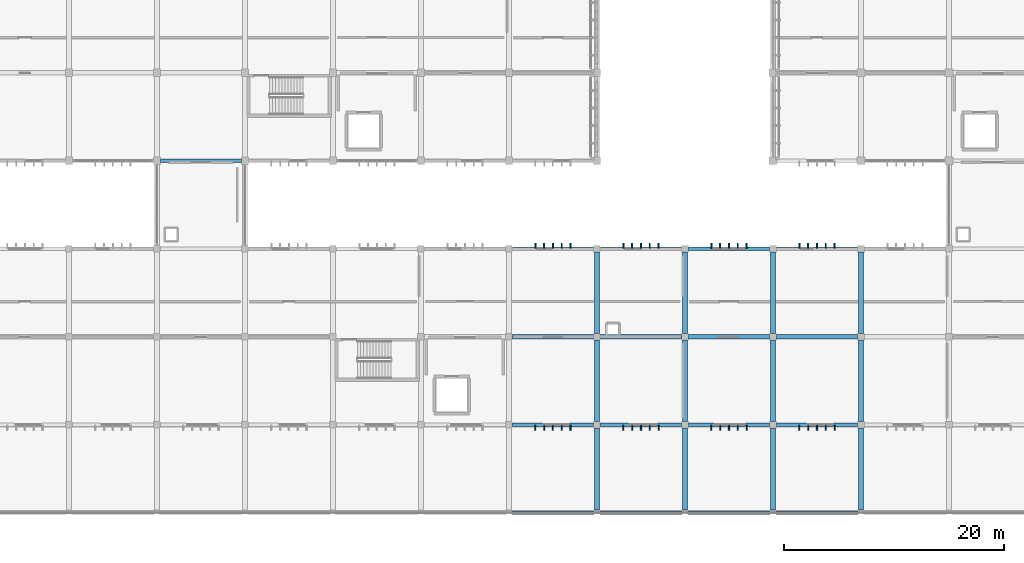
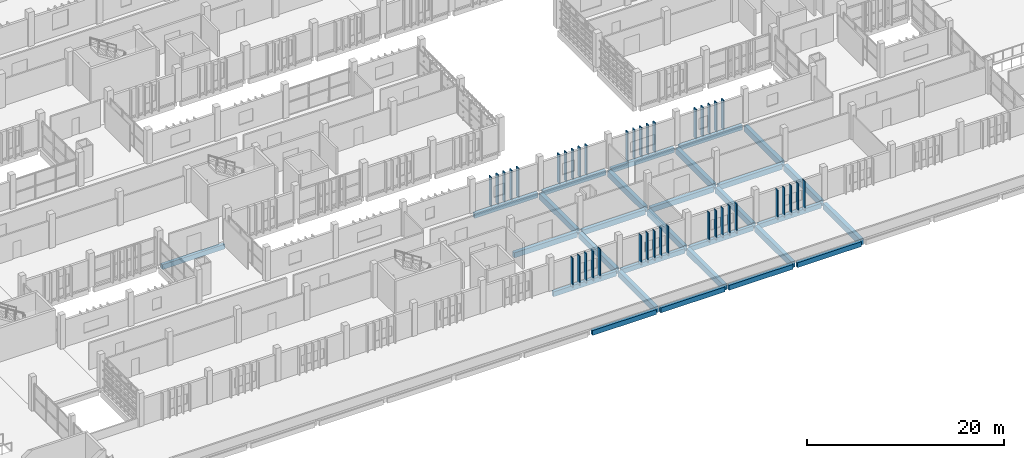
# One storey, part 24 of 137: 40 members, 29 beams.
"""IFC4 building model written with IfcOpenShell, lengths in metres."""

from ifc_helpers import new_model, si_unit, direction, frame, origin, origin_2d, place, context, subcontext, project, spatial, rectangle, extrude, material, material_profile, profile_set, type_object, element, save


model = new_model("IFC4")

# Units and contexts
model_context = context("Model", 3, precision=1e-05, world=origin(), true_north=direction((0.0, 1.0)))
body_context = subcontext(model_context, "Body", "Model", "MODEL_VIEW")
ifc_project = project(units=[si_unit("LENGTHUNIT", "METRE"), si_unit("AREAUNIT", "SQUARE_METRE"), si_unit("VOLUMEUNIT", "CUBIC_METRE"), si_unit("PLANEANGLEUNIT", "RADIAN"), si_unit("MASSUNIT", "GRAM", prefix="KILO")], contexts=[model_context])

# Site, building, storey
site_placement = place(None, origin())
site = spatial("IfcSite", under=ifc_project, at=site_placement, CompositionType="ELEMENT")
building_placement = place(site_placement, origin())
building = spatial("IfcBuilding", under=site, at=building_placement, Name="Jelvoka-Kovrelna Polytechnic", CompositionType="ELEMENT")
storey_placement = place(building_placement, frame((0.0, 0.0, 9.60009765625)))
storey = spatial("IfcBuildingStorey", under=building, at=storey_placement, Name="L03", CompositionType="ELEMENT", Elevation=9.60009765625)

# Beams
ifc_material_1 = material(Name="Concrete C40/50", Category="concrete")
ifc_material_profile_1 = material_profile(ifc_material_1, rectangle(XDim=0.39990234375, YDim=0.64990234375, at=origin_2d()), Name="RC 400x650")
ifc_profile_set_1 = profile_set([ifc_material_profile_1], Name="Concrete C40/50")
beam_type_1 = type_object("IfcBeamType", Name="Beam_RC_400x650", PredefinedType="BEAM", material=ifc_profile_set_1)
for number, where, z_axis, x_axis, name in (
    (1, (104.304931640625, 16.0, -0.590087890625), (1.0, 0.0, 0.0), (0.0, 1.0, 0.0), "L03 beam 0875"),
    (2, (112.304931640625, 16.0, -0.590087890625), (1.0, 0.0, 0.0), (0.0, 1.0, 0.0), "L03 beam 0905"),
    (3, (120.304931640625, 16.0, -0.590087890625), (1.0, 0.0, 0.0), (0.0, 1.0, 0.0), "L03 beam 0906"),
    (4, (128.304931640625, 16.0, -0.590087890625), (1.0, 0.0, 0.0), (0.0, 1.0, 0.0), "L03 beam 0907"),
):
    element("IfcBeam", number, at=place(storey_placement, frame(where, z_axis=z_axis, x_axis=x_axis)), inside=storey, type_object=beam_type_1, Name=name, PredefinedType="BEAM", context=body_context, shape_type="SweptSolid", body=[
        extrude(rectangle(XDim=0.39990234375, YDim=0.64990234375, at=origin_2d()), origin(), (0.0, 0.0, 1.0), 7.39013671875),
    ])
ifc_material_2 = material(Name="Concrete C40/50", Category="concrete")
ifc_material_profile_2 = material_profile(ifc_material_2, rectangle(XDim=0.449951171875, YDim=0.75, at=origin_2d()), Name="RC 450x750")
ifc_profile_set_2 = profile_set([ifc_material_profile_2], Name="Concrete C40/50")
beam_type_2 = type_object("IfcBeamType", Name="Beam_RC_450x750", PredefinedType="BEAM", material=ifc_profile_set_2)
for number, where, z_axis, x_axis, name in (
    (5, (112.0, 8.304931640625, -0.64013671875), (0.0, 1.0, 0.0), (-1.0, 0.0, 0.0), "L03 beam 0897"),
    (6, (112.0, 16.304931640625, -0.64013671875), (0.0, 1.0, 0.0), (-1.0, 0.0, 0.0), "L03 beam 0898"),
    (7, (120.0, 8.304931640625, -0.64013671875), (0.0, 1.0, 0.0), (-1.0, 0.0, 0.0), "L03 beam 0917"),
    (8, (120.0, 16.304931640625, -0.64013671875), (0.0, 1.0, 0.0), (-1.0, 0.0, 0.0), "L03 beam 0918"),
    (9, (128.0, 8.304931640625, -0.64013671875), (0.0, 1.0, 0.0), (-1.0, 0.0, 0.0), "L03 beam 0919"),
    (10, (128.0, 16.304931640625, -0.64013671875), (0.0, 1.0, 0.0), (-1.0, 0.0, 0.0), "L03 beam 0920"),
    (11, (136.0, 8.304931640625, -0.64013671875), (0.0, 1.0, 0.0), (-1.0, 0.0, 0.0), "L03 beam 0921"),
    (12, (136.0, 16.304931640625, -0.64013671875), (0.0, 1.0, 0.0), (-1.0, 0.0, 0.0), "L03 beam 0922"),
):
    element("IfcBeam", number, at=place(storey_placement, frame(where, z_axis=z_axis, x_axis=x_axis)), inside=storey, type_object=beam_type_2, Name=name, PredefinedType="BEAM", context=body_context, shape_type="SweptSolid", body=[
        extrude(rectangle(XDim=0.449951171875, YDim=0.75, at=origin_2d()), origin(), (0.0, 0.0, 1.0), 7.39013671875),
    ])
for number, where, z_axis, x_axis, name in (
    (13, (112.0, 0.2548828125, -0.565185546875), (0.0, 1.0, 0.0), (-1.0, 0.0, 0.0), "L03 beam 2055"),
    (14, (120.0, 0.2548828125, -0.565185546875), (0.0, 1.0, 0.0), (-1.0, 0.0, 0.0), "L03 beam 2056"),
    (15, (128.0, 0.2548828125, -0.565185546875), (0.0, 1.0, 0.0), (-1.0, 0.0, 0.0), "L03 beam 2057"),
    (16, (136.0, 0.2548828125, -0.565185546875), (0.0, 1.0, 0.0), (-1.0, 0.0, 0.0), "L03 beam 2058"),
):
    element("IfcBeam", number, at=place(storey_placement, frame(where, z_axis=z_axis, x_axis=x_axis)), inside=storey, type_object=beam_type_2, Name=name, PredefinedType="BEAM", context=body_context, shape_type="SweptSolid", body=[
        extrude(rectangle(XDim=0.449951171875, YDim=0.75, at=origin_2d()), origin(), (0.0, 0.0, 1.0), 7.440185546875),
    ])

# Members
ifc_material_3 = material(Name="Precast concrete C40/50", Category="concrete")
ifc_material_profile_3 = material_profile(ifc_material_3, rectangle(XDim=0.10009765625, YDim=0.449951171875, at=origin_2d()), Name="PC 100x450")
ifc_profile_set_3 = profile_set([ifc_material_profile_3], Name="Precast concrete C40/50")
member_type_1 = type_object("IfcMemberType", Name="Louvre_Fin_100x450", PredefinedType="USERDEFINED", material=ifc_profile_set_3)
for number, where, z_axis, x_axis, name in (
    (17, (106.39990234375, 7.735107421875, -0.27001953125), (0.0, 0.0, 1.0), (1.0, 0.0, 0.0), "L03 B1 south vertical solar louvre fin 0271"),
    (18, (107.199951171875, 7.735107421875, -0.27001953125), (0.0, 0.0, 1.0), (1.0, 0.0, 0.0), "L03 B1 south vertical solar louvre fin 0272"),
    (19, (108.0, 7.735107421875, -0.27001953125), (0.0, 0.0, 1.0), (1.0, 0.0, 0.0), "L03 B1 south vertical solar louvre fin 0273"),
    (20, (108.800048828125, 7.735107421875, -0.27001953125), (0.0, 0.0, 1.0), (1.0, 0.0, 0.0), "L03 B1 south vertical solar louvre fin 0274"),
    (21, (109.60009765625, 7.735107421875, -0.27001953125), (0.0, 0.0, 1.0), (1.0, 0.0, 0.0), "L03 B1 south vertical solar louvre fin 0275"),
    (22, (114.39990234375, 7.735107421875, -0.27001953125), (0.0, 0.0, 1.0), (1.0, 0.0, 0.0), "L03 B1 south vertical solar louvre fin 0281"),
    (23, (115.199951171875, 7.735107421875, -0.27001953125), (0.0, 0.0, 1.0), (1.0, 0.0, 0.0), "L03 B1 south vertical solar louvre fin 0282"),
    (24, (116.0, 7.735107421875, -0.27001953125), (0.0, 0.0, 1.0), (1.0, 0.0, 0.0), "L03 B1 south vertical solar louvre fin 0283"),
    (25, (116.800048828125, 7.735107421875, -0.27001953125), (0.0, 0.0, 1.0), (1.0, 0.0, 0.0), "L03 B1 south vertical solar louvre fin 0284"),
    (26, (117.60009765625, 7.735107421875, -0.27001953125), (0.0, 0.0, 1.0), (1.0, 0.0, 0.0), "L03 B1 south vertical solar louvre fin 0285"),
    (27, (122.39990234375, 7.735107421875, -0.27001953125), (0.0, 0.0, 1.0), (1.0, 0.0, 0.0), "L03 B1 south vertical solar louvre fin 0291"),
    (28, (123.199951171875, 7.735107421875, -0.27001953125), (0.0, 0.0, 1.0), (1.0, 0.0, 0.0), "L03 B1 south vertical solar louvre fin 0292"),
    (29, (124.0, 7.735107421875, -0.27001953125), (0.0, 0.0, 1.0), (1.0, 0.0, 0.0), "L03 B1 south vertical solar louvre fin 0293"),
    (30, (124.800048828125, 7.735107421875, -0.27001953125), (0.0, 0.0, 1.0), (1.0, 0.0, 0.0), "L03 B1 south vertical solar louvre fin 0294"),
    (31, (125.60009765625, 7.735107421875, -0.27001953125), (0.0, 0.0, 1.0), (1.0, 0.0, 0.0), "L03 B1 south vertical solar louvre fin 0295"),
    (32, (130.39990234375, 7.735107421875, -0.27001953125), (0.0, 0.0, 1.0), (1.0, 0.0, 0.0), "L03 B1 south vertical solar louvre fin 0301"),
    (33, (131.199951171875, 7.735107421875, -0.27001953125), (0.0, 0.0, 1.0), (1.0, 0.0, 0.0), "L03 B1 south vertical solar louvre fin 0302"),
    (34, (132.0, 7.735107421875, -0.27001953125), (0.0, 0.0, 1.0), (1.0, 0.0, 0.0), "L03 B1 south vertical solar louvre fin 0303"),
    (35, (132.800048828125, 7.735107421875, -0.27001953125), (0.0, 0.0, 1.0), (1.0, 0.0, 0.0), "L03 B1 south vertical solar louvre fin 0304"),
    (36, (133.60009765625, 7.735107421875, -0.27001953125), (0.0, 0.0, 1.0), (1.0, 0.0, 0.0), "L03 B1 south vertical solar louvre fin 0305"),
):
    element("IfcMember", number, at=place(storey_placement, frame(where, z_axis=z_axis, x_axis=x_axis)), inside=storey, type_object=member_type_1, Name=name, ObjectType="SUNSHADE", PredefinedType="USERDEFINED", context=body_context, shape_type="SweptSolid", body=[
        extrude(rectangle(XDim=0.10009765625, YDim=0.449951171875, at=origin_2d()), origin(), (0.0, 0.0, 1.0), 3.64501953125),
    ])
ifc_material_4 = material(Name="Precast concrete C40/50", Category="concrete")
ifc_material_profile_4 = material_profile(ifc_material_4, rectangle(XDim=0.1201171875, YDim=0.449951171875, at=origin_2d()), Name="PC 120x450")
ifc_profile_set_4 = profile_set([ifc_material_profile_4], Name="Precast concrete C40/50")
member_type_2 = type_object("IfcMemberType", Name="Louvre_Fin_120x450", PredefinedType="USERDEFINED", material=ifc_profile_set_4)
for number, where, z_axis, x_axis, name in (
    (37, (106.39990234375, 24.264892578125, -0.27001953125), (0.0, 0.0, 1.0), (1.0, 0.0, 0.0), "L03 B1 north vertical solar louvre fin 0276"),
    (38, (107.199951171875, 24.264892578125, -0.27001953125), (0.0, 0.0, 1.0), (1.0, 0.0, 0.0), "L03 B1 north vertical solar louvre fin 0277"),
    (39, (108.0, 24.264892578125, -0.27001953125), (0.0, 0.0, 1.0), (1.0, 0.0, 0.0), "L03 B1 north vertical solar louvre fin 0278"),
    (40, (108.800048828125, 24.264892578125, -0.27001953125), (0.0, 0.0, 1.0), (1.0, 0.0, 0.0), "L03 B1 north vertical solar louvre fin 0279"),
    (41, (109.60009765625, 24.264892578125, -0.27001953125), (0.0, 0.0, 1.0), (1.0, 0.0, 0.0), "L03 B1 north vertical solar louvre fin 0280"),
    (42, (114.39990234375, 24.264892578125, -0.27001953125), (0.0, 0.0, 1.0), (1.0, 0.0, 0.0), "L03 B1 north vertical solar louvre fin 0286"),
    (43, (115.199951171875, 24.264892578125, -0.27001953125), (0.0, 0.0, 1.0), (1.0, 0.0, 0.0), "L03 B1 north vertical solar louvre fin 0287"),
    (44, (116.0, 24.264892578125, -0.27001953125), (0.0, 0.0, 1.0), (1.0, 0.0, 0.0), "L03 B1 north vertical solar louvre fin 0288"),
    (45, (116.800048828125, 24.264892578125, -0.27001953125), (0.0, 0.0, 1.0), (1.0, 0.0, 0.0), "L03 B1 north vertical solar louvre fin 0289"),
    (46, (117.60009765625, 24.264892578125, -0.27001953125), (0.0, 0.0, 1.0), (1.0, 0.0, 0.0), "L03 B1 north vertical solar louvre fin 0290"),
    (47, (122.39990234375, 24.264892578125, -0.27001953125), (0.0, 0.0, 1.0), (1.0, 0.0, 0.0), "L03 B1 north vertical solar louvre fin 0296"),
    (48, (123.199951171875, 24.264892578125, -0.27001953125), (0.0, 0.0, 1.0), (1.0, 0.0, 0.0), "L03 B1 north vertical solar louvre fin 0297"),
    (49, (124.0, 24.264892578125, -0.27001953125), (0.0, 0.0, 1.0), (1.0, 0.0, 0.0), "L03 B1 north vertical solar louvre fin 0298"),
    (50, (124.800048828125, 24.264892578125, -0.27001953125), (0.0, 0.0, 1.0), (1.0, 0.0, 0.0), "L03 B1 north vertical solar louvre fin 0299"),
    (51, (125.60009765625, 24.264892578125, -0.27001953125), (0.0, 0.0, 1.0), (1.0, 0.0, 0.0), "L03 B1 north vertical solar louvre fin 0300"),
    (52, (130.39990234375, 24.264892578125, -0.27001953125), (0.0, 0.0, 1.0), (1.0, 0.0, 0.0), "L03 B1 north vertical solar louvre fin 0306"),
    (53, (131.199951171875, 24.264892578125, -0.27001953125), (0.0, 0.0, 1.0), (1.0, 0.0, 0.0), "L03 B1 north vertical solar louvre fin 0307"),
    (54, (132.0, 24.264892578125, -0.27001953125), (0.0, 0.0, 1.0), (1.0, 0.0, 0.0), "L03 B1 north vertical solar louvre fin 0308"),
    (55, (132.800048828125, 24.264892578125, -0.27001953125), (0.0, 0.0, 1.0), (1.0, 0.0, 0.0), "L03 B1 north vertical solar louvre fin 0309"),
    (56, (133.60009765625, 24.264892578125, -0.27001953125), (0.0, 0.0, 1.0), (1.0, 0.0, 0.0), "L03 B1 north vertical solar louvre fin 0310"),
):
    element("IfcMember", number, at=place(storey_placement, frame(where, z_axis=z_axis, x_axis=x_axis)), inside=storey, type_object=member_type_2, Name=name, ObjectType="SUNSHADE", PredefinedType="USERDEFINED", context=body_context, shape_type="SweptSolid", body=[
        extrude(rectangle(XDim=0.1201171875, YDim=0.449951171875, at=origin_2d()), origin(), (0.0, 0.0, 1.0), 3.64501953125),
    ])

# Beams
ifc_material_5 = material(Name="Concrete C40/50", Category="concrete")
ifc_material_profile_5 = material_profile(ifc_material_5, rectangle(XDim=0.35009765625, YDim=0.60009765625, at=origin_2d()), Name="RC 350x600")
ifc_profile_set_5 = profile_set([ifc_material_profile_5], Name="Concrete C40/50")
beam_type_3 = type_object("IfcBeamType", Name="Spandrel_RC_350x600", PredefinedType="SPANDREL", material=ifc_profile_set_5)
for number, where, z_axis, x_axis, name in (
    (57, (104.304931640625, 8.0, -0.565185546875), (1.0, 0.0, 0.0), (0.0, 1.0, 0.0), "L03 beam 0869"),
    (58, (104.304931640625, 24.0, -0.565185546875), (1.0, 0.0, 0.0), (0.0, 1.0, 0.0), "L03 beam 0882"),
    (59, (112.304931640625, 8.0, -0.565185546875), (1.0, 0.0, 0.0), (0.0, 1.0, 0.0), "L03 beam 0899"),
    (60, (120.304931640625, 8.0, -0.565185546875), (1.0, 0.0, 0.0), (0.0, 1.0, 0.0), "L03 beam 0900"),
    (61, (128.304931640625, 8.0, -0.565185546875), (1.0, 0.0, 0.0), (0.0, 1.0, 0.0), "L03 beam 0901"),
    (62, (112.304931640625, 24.0, -0.565185546875), (1.0, 0.0, 0.0), (0.0, 1.0, 0.0), "L03 beam 0911"),
    (63, (120.304931640625, 24.0, -0.565185546875), (1.0, 0.0, 0.0), (0.0, 1.0, 0.0), "L03 beam 0912"),
    (64, (128.304931640625, 24.0, -0.565185546875), (1.0, 0.0, 0.0), (0.0, 1.0, 0.0), "L03 beam 0913"),
):
    element("IfcBeam", number, at=place(storey_placement, frame(where, z_axis=z_axis, x_axis=x_axis)), inside=storey, type_object=beam_type_3, Name=name, PredefinedType="SPANDREL", context=body_context, shape_type="SweptSolid", body=[
        extrude(rectangle(XDim=0.35009765625, YDim=0.60009765625, at=origin_2d()), origin(), (0.0, 0.0, 1.0), 7.39013671875),
    ])
beam_placement = place(storey_placement, frame((72.330078125, 32.0, -0.565185546875), z_axis=(1.0, 0.0, 0.0), x_axis=(0.0, 1.0, 0.0)))
element("IfcBeam", 65, at=beam_placement, inside=storey, type_object=beam_type_3, Name="L03 beam 0929", PredefinedType="SPANDREL", context=body_context, shape_type="SweptSolid", body=[
    extrude(rectangle(XDim=0.35009765625, YDim=0.60009765625, at=origin_2d()), origin(), (0.0, 0.0, 1.0), 7.33984375),
])
for number, where, z_axis, x_axis, name in (
    (66, (104.2548828125, 0.0, -0.489990234375), (1.0, 0.0, 0.0), (0.0, 1.0, 0.0), "L03 beam 2040"),
    (67, (112.2548828125, 0.0, -0.489990234375), (1.0, 0.0, 0.0), (0.0, 1.0, 0.0), "L03 beam 2041"),
    (68, (120.2548828125, 0.0, -0.489990234375), (1.0, 0.0, 0.0), (0.0, 1.0, 0.0), "L03 beam 2042"),
    (69, (128.2548828125, 0.0, -0.489990234375), (1.0, 0.0, 0.0), (0.0, 1.0, 0.0), "L03 beam 2043"),
):
    element("IfcBeam", number, at=place(storey_placement, frame(where, z_axis=z_axis, x_axis=x_axis)), inside=storey, type_object=beam_type_3, Name=name, PredefinedType="SPANDREL", context=body_context, shape_type="SweptSolid", body=[
        extrude(rectangle(XDim=0.35009765625, YDim=0.60009765625, at=origin_2d()), origin(), (0.0, 0.0, 1.0), 7.490234375),
    ])

save(model, "model.ifc")
